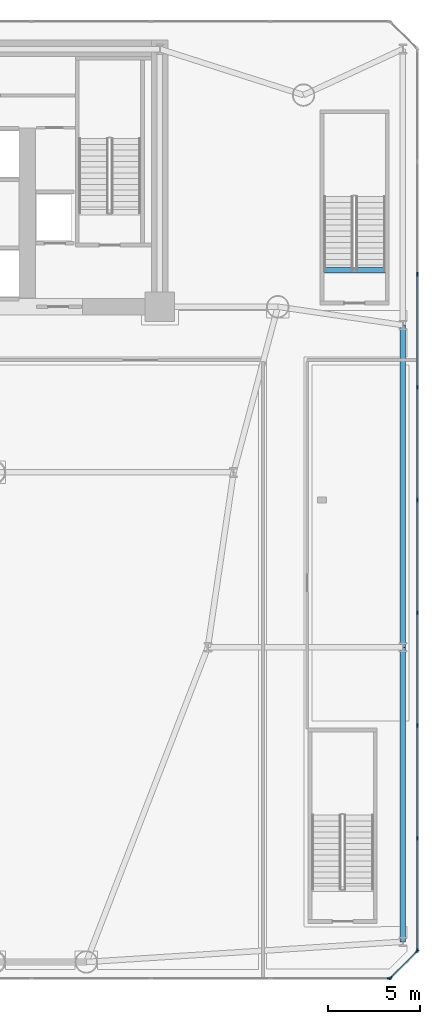
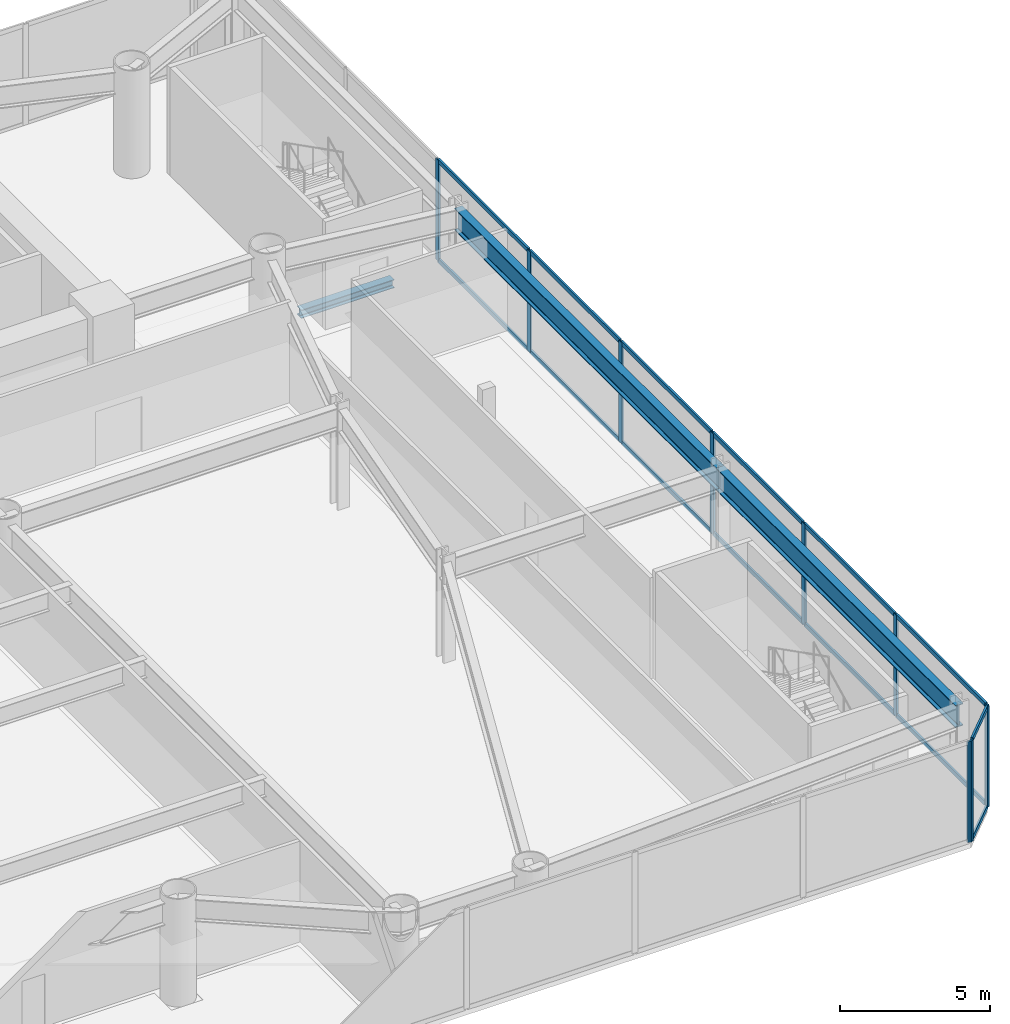
# One storey, part 10 of 24: 24 members, 3 beams, 3 elements without a shape of their own.
"""IFC4 building model written with IfcOpenShell, lengths in metres."""

import ifcopenshell
import ifcopenshell.guid

model = None  # the IFC model being written
_history = None  # IfcOwnerHistory: only IFC2X3 demands one
_inside = {}  # id of a spatial element -> (the spatial element, [elements in it])
_under = {}  # id of a project, library or spatial element -> (it, [spatial elements below it])
_declared = {}  # id of a project -> (the project, [libraries it declares])
_typed = {}  # id of a type object -> (the type object, [elements of that type])
_made_of = {}  # id of a material, layer set ... -> (it, [elements and type objects made of it])


def new_model(schema):
    """Start an empty IFC model of exactly this schema.

    Asked for "IFC4X3", IfcOpenShell would pick the latest addendum, in which some entities
    have other attributes; the version numbers below select the first issue.
    IFC2X3 requires an IfcOwnerHistory on every rooted entity: one is made here for all.
    """
    global model, _history
    if schema == "IFC4X3":
        model = ifcopenshell.file(schema_version=(4, 3, 0, 0))
    else:
        model = ifcopenshell.file(schema=schema)
    _inside.clear()
    _under.clear()
    _declared.clear()
    _typed.clear()
    _made_of.clear()
    _history = None
    if model.schema == "IFC2X3":
        org = make("IfcOrganization", Name="unknown")
        user = make(
            "IfcPersonAndOrganization",
            ThePerson=make("IfcPerson", FamilyName="unknown"),
            TheOrganization=org,
        )
        app = make(
            "IfcApplication",
            ApplicationDeveloper=org,
            Version="unknown",
            ApplicationFullName="unknown",
            ApplicationIdentifier="unknown",
        )
        _history = make(
            "IfcOwnerHistory",
            OwningUser=user,
            OwningApplication=app,
            ChangeAction="ADDED",
            CreationDate=0,
        )
    return model


def make(cls, **values):
    """One entity of the class cls with the attributes given. An attribute that is None is left unset."""
    return model.create_entity(
        cls, **{name: value for name, value in values.items() if value is not None}
    )


def rooted(cls, **values):
    """An entity with a GlobalId (a new one), such as an element, a storey or a relation."""
    return make(cls, GlobalId=ifcopenshell.guid.new(), OwnerHistory=_history, **values)


def si_unit(unit_type, name, prefix=None):
    """IfcSIUnit, for example si_unit("LENGTHUNIT", "METRE", prefix="MILLI")."""
    return make("IfcSIUnit", UnitType=unit_type, Prefix=prefix, Name=name)


def assignment(units):
    """IfcUnitAssignment: the units of a project."""
    return None if units is None else make("IfcUnitAssignment", Units=units)


def point(xyz):
    """IfcCartesianPoint."""
    return None if xyz is None else make("IfcCartesianPoint", Coordinates=xyz)


def direction(xyz):
    """IfcDirection."""
    return None if xyz is None else make("IfcDirection", DirectionRatios=xyz)


def frame(location, z_axis=None, x_axis=None):
    """IfcAxis2Placement3D, a coordinate frame: its origin and axes. An axis left out is left unset."""
    return make(
        "IfcAxis2Placement3D",
        Location=point(location),
        Axis=direction(z_axis),
        RefDirection=direction(x_axis),
    )


def frame_2d(location, x_axis=None):
    """IfcAxis2Placement2D, a coordinate frame in the plane: its origin and x axis."""
    return make(
        "IfcAxis2Placement2D", Location=point(location), RefDirection=direction(x_axis)
    )


def origin():
    """The frame at (0, 0, 0) with its axes left unset."""
    return frame((0.0, 0.0, 0.0))


def origin_2d():
    """The frame at (0, 0) in the plane with its x axis left unset."""
    return frame_2d((0.0, 0.0))


def place(relative_to, where):
    """IfcLocalPlacement: puts the frame where relative to a parent placement (None: the world)."""
    return make(
        "IfcLocalPlacement", PlacementRelTo=relative_to, RelativePlacement=where
    )


def context(
    kind, dimensions, precision=None, world=None, true_north=None, identifier=None
):
    """IfcGeometricRepresentationContext, for example the 3D "Model" context."""
    return make(
        "IfcGeometricRepresentationContext",
        ContextIdentifier=identifier,
        ContextType=kind,
        CoordinateSpaceDimension=dimensions,
        Precision=precision,
        WorldCoordinateSystem=world,
        TrueNorth=true_north,
    )


def subcontext(parent, identifier, kind, view, scale=None):
    """IfcGeometricRepresentationSubContext, for example "Body" below "Model"."""
    return make(
        "IfcGeometricRepresentationSubContext",
        ContextIdentifier=identifier,
        ContextType=kind,
        ParentContext=parent,
        TargetScale=scale,
        TargetView=view,
    )


def project(units=None, contexts=None):
    """IfcProject with its units and contexts."""
    return rooted(
        "IfcProject",
        Name="project",
        RepresentationContexts=contexts,
        UnitsInContext=assignment(units),
    )


def spatial(cls, under=None, at=None, **own):
    """A site, building, storey or space (cls), placed at a placement, below another one or the project."""
    s = rooted(cls, ObjectPlacement=at, **own)
    if under is not None:
        _under.setdefault(under.id(), (under, []))[1].append(s)
    return s


def profile(cls, at=None, kind="AREA", **sizes):
    """A parametric profile (cls). Its sizes go by their IFC names, for example OverallWidth=200.0."""
    return make(cls, ProfileType=kind, Position=at, **sizes)


def rectangle(**sizes):
    """IfcRectangleProfileDef."""
    return profile("IfcRectangleProfileDef", **sizes)


def i_section(**sizes):
    """IfcIShapeProfileDef."""
    return profile("IfcIShapeProfileDef", **sizes)


def extrude(swept, where, along, depth):
    """IfcExtrudedAreaSolid: the profile swept, set in the frame where, extruded along a direction by depth."""
    return make(
        "IfcExtrudedAreaSolid",
        SweptArea=swept,
        Position=where,
        ExtrudedDirection=direction(along),
        Depth=depth,
    )


def shape(context_of_items, identifier, shape_type, items):
    """IfcShapeRepresentation: the items that make up one representation, for example the "Body"."""
    return make(
        "IfcShapeRepresentation",
        ContextOfItems=context_of_items,
        RepresentationIdentifier=identifier,
        RepresentationType=shape_type,
        Items=items,
    )


def source(mapping_origin, context_of_items, identifier, shape_type, items):
    """IfcRepresentationMap: a shape defined once, which mapped items show again and again."""
    return make(
        "IfcRepresentationMap",
        MappingOrigin=mapping_origin,
        MappedRepresentation=shape(context_of_items, identifier, shape_type, items),
    )


def transform(
    local_origin,
    x_axis=None,
    y_axis=None,
    z_axis=None,
    scale=None,
    scale2=None,
    scale3=None,
    uniform=True,
):
    """IfcCartesianTransformationOperator3D, or its non-uniform kind. x_axis, y_axis, z_axis: its Axis1, 2, 3."""
    if uniform:
        return make(
            "IfcCartesianTransformationOperator3D",
            Axis1=direction(x_axis),
            Axis2=direction(y_axis),
            LocalOrigin=point(local_origin),
            Scale=scale,
            Axis3=direction(z_axis),
        )
    return make(
        "IfcCartesianTransformationOperator3DnonUniform",
        Axis1=direction(x_axis),
        Axis2=direction(y_axis),
        LocalOrigin=point(local_origin),
        Scale=scale,
        Axis3=direction(z_axis),
        Scale2=scale2,
        Scale3=scale3,
    )


def mapped(mapping_source, mapping_target):
    """IfcMappedItem: shows the shape of a source again, moved by a transform."""
    return make(
        "IfcMappedItem", MappingSource=mapping_source, MappingTarget=mapping_target
    )


def material(Name=None, Category=None):
    """IfcMaterial."""
    return make("IfcMaterial", Name=Name, Category=Category)


def layer(
    of_material, thickness, ventilated=None, Name=None, Category=None, Priority=None
):
    """IfcMaterialLayer: one layer of a wall or slab, of a material (None: an air gap)."""
    return make(
        "IfcMaterialLayer",
        Material=of_material,
        LayerThickness=thickness,
        IsVentilated=ventilated,
        Name=Name,
        Category=Category,
        Priority=Priority,
    )


def layer_set(layers, Name=None):
    """IfcMaterialLayerSet."""
    return make("IfcMaterialLayerSet", MaterialLayers=layers, LayerSetName=Name)


def material_profile(
    of_material, cross_section, Name=None, Category=None, Priority=None
):
    """IfcMaterialProfile: a cross section and its material."""
    return make(
        "IfcMaterialProfile",
        Name=Name,
        Material=of_material,
        Profile=cross_section,
        Priority=Priority,
        Category=Category,
    )


def profile_set(profiles, Name=None, composite=None):
    """IfcMaterialProfileSet."""
    return make(
        "IfcMaterialProfileSet",
        Name=Name,
        MaterialProfiles=profiles,
        CompositeProfile=composite,
    )


def made_of(thing, what):
    """Note that an element or type object is made of a material, layer set ...; save() writes the relation."""
    if what is not None:
        _made_of.setdefault(what.id(), (what, []))[1].append(thing)
    return thing


def type_object(cls, material=None, **own):
    """A type object (cls), such as IfcWallType, which elements share."""
    return made_of(rooted(cls, **own), material)


def element(
    cls,
    number,
    at=None,
    inside=None,
    cuts=None,
    type_object=None,
    material=None,
    context=None,
    identifier="Body",
    shape_type=None,
    held_by="IfcProductDefinitionShape",
    body=None,
    shapes=None,
    **own,
):
    """One element of the class cls, such as IfcWall. Its Tag is "e" and its number.

    at: its placement. inside: the storey or other place that contains it. cuts: it is an
    opening in that element (IfcRelVoidsElement). A single representation is given by context,
    identifier, shape_type and body (its items); several are given by shapes. held_by: the class
    of the entity that holds the representations. save() writes the other relations.
    """
    e = rooted(cls, Tag="e%d" % number, ObjectPlacement=at, **own)
    if body is not None:
        shapes = [shape(context, identifier, shape_type, body)]
    if shapes is not None:
        e.Representation = make(held_by, Representations=shapes)
    if inside is not None:
        _inside.setdefault(inside.id(), (inside, []))[1].append(e)
    if cuts is not None:
        rooted(
            "IfcRelVoidsElement", RelatingBuildingElement=cuts, RelatedOpeningElement=e
        )
    if type_object is not None:
        _typed.setdefault(type_object.id(), (type_object, []))[1].append(e)
    return made_of(e, material)


def aggregate(whole, parts):
    """IfcRelAggregates: a whole, such as a stair, and the parts it consists of."""
    return rooted("IfcRelAggregates", RelatingObject=whole, RelatedObjects=parts)


def save(model, path):
    """Write the relations noted so far, then the file.

    IfcRelAggregates (storeys below a building ...), IfcRelContainedInSpatialStructure (elements
    in a storey), IfcRelDefinesByType, IfcRelAssociatesMaterial and IfcRelDeclares: one each for
    every whole, place, type object, material and project.
    """
    for whole, parts in _under.values():
        aggregate(whole, parts)
    for where, things in _inside.values():
        rooted(
            "IfcRelContainedInSpatialStructure",
            RelatedElements=things,
            RelatingStructure=where,
        )
    for kind, things in _typed.values():
        rooted("IfcRelDefinesByType", RelatedObjects=things, RelatingType=kind)
    for what, things in _made_of.values():
        rooted("IfcRelAssociatesMaterial", RelatedObjects=things, RelatingMaterial=what)
    for by, libraries in _declared.values():
        rooted("IfcRelDeclares", RelatingContext=by, RelatedDefinitions=libraries)
    model.write(path)


model = new_model("IFC4")

# Units and contexts
model_context = context("Model", 3, precision=1e-05, world=origin(), true_north=direction((0.0, 1.0)))
body_context = subcontext(model_context, "Body", "Model", "MODEL_VIEW")
ifc_project = project(units=[si_unit("LENGTHUNIT", "METRE"), si_unit("AREAUNIT", "SQUARE_METRE"), si_unit("VOLUMEUNIT", "CUBIC_METRE"), si_unit("PLANEANGLEUNIT", "RADIAN"), si_unit("MASSUNIT", "GRAM", prefix="KILO")], contexts=[model_context])

# Site, building, storey
site_placement = place(None, origin())
site = spatial("IfcSite", under=ifc_project, at=site_placement, CompositionType="ELEMENT")
building_placement = place(site_placement, origin())
building = spatial("IfcBuilding", under=site, at=building_placement, Name="Vaeldorn Concourse Tower", CompositionType="ELEMENT")
storey_placement = place(building_placement, frame((0.0, 0.0, 10.0)))
storey = spatial("IfcBuildingStorey", under=building, at=storey_placement, Name="L02", CompositionType="ELEMENT", Elevation=10.0)

# Beams
ifc_material_1 = material(Name="Steel S355", Category="steel")
ifc_material_profile_1 = material_profile(ifc_material_1, i_section(OverallWidth=0.300048828125, OverallDepth=0.340087890625, WebThickness=0.011962890625, FlangeThickness=0.021484375, FilletRadius=0.027099609375, at=origin_2d()), Name="HEB 340")
ifc_profile_set_1 = profile_set([ifc_material_profile_1], Name="Steel S355")
beam_type_1 = type_object("IfcBeamType", Name="BM-ST-TRIM", PredefinedType="BEAM", material=ifc_profile_set_1)
shared_shape_1 = source(origin(), body_context, "Body", "SweptSolid", [
    extrude(i_section(OverallWidth=0.300048828125, OverallDepth=0.340087890625, WebThickness=0.011962890625, FlangeThickness=0.021484375, FilletRadius=0.027099609375, at=origin_2d()), origin(), (0.0, 0.0, 1.0), 3.590087890625),
])
beam_1_placement = place(storey_placement, frame((62.780029296875, 38.489990234375, -0.449951171875), z_axis=(1.0, 0.0, 0.0), x_axis=(0.0, 1.0, 0.0)))
element("IfcBeam", 1, at=beam_1_placement, inside=storey, type_object=beam_type_1, Name="Stair Landing Trimmer Beam ST-4 L02", PredefinedType="BEAM", context=body_context, shape_type="MappedRepresentation", body=[
    mapped(shared_shape_1, transform((0.0, 0.0, 0.0), scale=1.0)),
])
ifc_material_profile_2 = material_profile(ifc_material_1, i_section(OverallWidth=0.302001953125, OverallDepth=0.909912109375, WebThickness=0.02099609375, FlangeThickness=0.0400390625, FilletRadius=0.030029296875, at=origin_2d()), Name="HEM 900")
ifc_profile_set_2 = profile_set([ifc_material_profile_2], Name="Steel S355")
beam_type_2 = type_object("IfcBeamType", Name="BM-PG-HEM900", PredefinedType="BEAM", material=ifc_profile_set_2)
shared_shape_2 = source(origin(), body_context, "Body", "SweptSolid", [
    extrude(i_section(OverallWidth=0.302001953125, OverallDepth=0.909912109375, WebThickness=0.02099609375, FlangeThickness=0.0400390625, FilletRadius=0.030029296875, at=origin_2d()), origin(), (0.0, 0.0, 1.0), 16.0),
])
beam_2_placement = place(storey_placement, frame((67.199951171875, 2.0, 3.6650390625), z_axis=(0.0, 1.0, 0.0), x_axis=(-1.0, 0.0, 0.0)))
element("IfcBeam", 2, at=beam_2_placement, inside=storey, type_object=beam_type_2, Name="Beam BM-L02-C-PE1-C-PE2", PredefinedType="BEAM", context=body_context, shape_type="MappedRepresentation", body=[
    mapped(shared_shape_2, transform((0.0, 0.0, 0.0), scale=1.0)),
])
shared_shape_3 = source(origin(), body_context, "Body", "SweptSolid", [
    extrude(i_section(OverallWidth=0.302001953125, OverallDepth=0.909912109375, WebThickness=0.02099609375, FlangeThickness=0.0400390625, FilletRadius=0.030029296875, at=origin_2d()), origin(), (0.0, 0.0, 1.0), 17.5),
])
beam_3_placement = place(storey_placement, frame((67.199951171875, 18.0, 3.6650390625), z_axis=(0.0, 1.0, 0.0), x_axis=(-1.0, 0.0, 0.0)))
element("IfcBeam", 3, at=beam_3_placement, inside=storey, type_object=beam_type_2, Name="Beam BM-L02-C-PE2-C-PE3", PredefinedType="BEAM", context=body_context, shape_type="MappedRepresentation", body=[
    mapped(shared_shape_3, transform((0.0, 0.0, 0.0), scale=1.0)),
])

# Curtain wall, members
ifc_material_2 = material(Name="Anodised Bronze Aluminium", Category="aluminium")
ifc_layer = layer(ifc_material_2, 0.239990234375)
ifc_layer_set = layer_set([ifc_layer], Name="Anodised Bronze Aluminium")
curtain_wall_type = type_object("IfcCurtainWallType", Name="CW-SYS-04", PredefinedType="NOTDEFINED", material=ifc_layer_set)
curtain_wall_1_placement = place(storey_placement, origin())
curtain_wall_1 = element("IfcCurtainWall", 4, at=curtain_wall_1_placement, inside=storey, type_object=curtain_wall_type, Name="Unitised Curtain Wall CW-L02-E02-1", PredefinedType="NOTDEFINED")
ifc_material_profile_3 = material_profile(ifc_material_2, rectangle(XDim=0.074951171875, YDim=0.179931640625, at=origin_2d()), Name="CWT 75x180")
ifc_profile_set_3 = profile_set([ifc_material_profile_3], Name="Anodised Bronze Aluminium")
member_type_1 = type_object("IfcMemberType", Name="CWT-BRONZE-180", PredefinedType="USERDEFINED", material=ifc_profile_set_3)
shared_shape_4 = source(origin(), body_context, "Body", "SweptSolid", [
    extrude(rectangle(XDim=0.074951171875, YDim=0.179931640625, at=origin_2d()), origin(), (0.0, 0.0, 1.0), 1.971435546875),
])
member_1_placement = place(storey_placement, frame((66.552978515625, 0.052978515625, 0.03759765625), z_axis=(0.707106781187, 0.707106781187, 0.0), x_axis=(-0.707106781187, 0.707106781187, 0.0)))
member_1 = element("IfcMember", 5, at=member_1_placement, type_object=member_type_1, Name="CW-04 transom 1.1", ObjectType="TRANSOM", PredefinedType="USERDEFINED", context=body_context, shape_type="MappedRepresentation", body=[
    mapped(shared_shape_4, transform((0.0, 0.0, 0.0), scale=1.0)),
])
member_2_placement = place(storey_placement, frame((66.552978515625, 0.052978515625, 4.08251953125), z_axis=(0.707106781187, 0.707106781187, 0.0), x_axis=(-0.707106781187, 0.707106781187, 0.0)))
member_2 = element("IfcMember", 6, at=member_2_placement, type_object=member_type_1, Name="CW-04 transom 1.2", ObjectType="TRANSOM", PredefinedType="USERDEFINED", context=body_context, shape_type="MappedRepresentation", body=[
    mapped(shared_shape_4, transform((0.0, 0.0, 0.0), scale=1.0)),
])

curtain_wall_2_placement = place(storey_placement, origin())
curtain_wall_2 = element("IfcCurtainWall", 7, at=curtain_wall_2_placement, inside=storey, type_object=curtain_wall_type, Name="Unitised Curtain Wall CW-L02-E03-1", PredefinedType="NOTDEFINED")
shared_shape_5 = source(origin(), body_context, "Body", "SweptSolid", [
    extrude(rectangle(XDim=0.074951171875, YDim=0.179931640625, at=origin_2d()), origin(), (0.0, 0.0, 1.0), 6.012451171875),
])
member_3_placement = place(storey_placement, frame((68.0, 1.574951171875, 0.03759765625), z_axis=(0.0, 1.0, 0.0), x_axis=(-1.0, 0.0, 0.0)))
member_3 = element("IfcMember", 8, at=member_3_placement, type_object=member_type_1, Name="CW-04 transom 1.1", ObjectType="TRANSOM", PredefinedType="USERDEFINED", context=body_context, shape_type="MappedRepresentation", body=[
    mapped(shared_shape_5, transform((0.0, 0.0, 0.0), scale=1.0)),
])
member_4_placement = place(storey_placement, frame((68.0, 1.574951171875, 4.08251953125), z_axis=(0.0, 1.0, 0.0), x_axis=(-1.0, 0.0, 0.0)))
member_4 = element("IfcMember", 9, at=member_4_placement, type_object=member_type_1, Name="CW-04 transom 1.2", ObjectType="TRANSOM", PredefinedType="USERDEFINED", context=body_context, shape_type="MappedRepresentation", body=[
    mapped(shared_shape_5, transform((0.0, 0.0, 0.0), scale=1.0)),
])
shared_shape_6 = source(origin(), body_context, "Body", "SweptSolid", [
    extrude(rectangle(XDim=0.074951171875, YDim=0.179931640625, at=origin_2d()), origin(), (0.0, 0.0, 1.0), 6.0498046875),
])
member_5_placement = place(storey_placement, frame((68.0, 7.66259765625, 0.03759765625), z_axis=(0.0, 1.0, 0.0), x_axis=(-1.0, 0.0, 0.0)))
member_5 = element("IfcMember", 10, at=member_5_placement, type_object=member_type_1, Name="CW-04 transom 2.1", ObjectType="TRANSOM", PredefinedType="USERDEFINED", context=body_context, shape_type="MappedRepresentation", body=[
    mapped(shared_shape_6, transform((0.0, 0.0, 0.0), scale=1.0)),
])
member_6_placement = place(storey_placement, frame((68.0, 7.66259765625, 4.08251953125), z_axis=(0.0, 1.0, 0.0), x_axis=(-1.0, 0.0, 0.0)))
member_6 = element("IfcMember", 11, at=member_6_placement, type_object=member_type_1, Name="CW-04 transom 2.2", ObjectType="TRANSOM", PredefinedType="USERDEFINED", context=body_context, shape_type="MappedRepresentation", body=[
    mapped(shared_shape_6, transform((0.0, 0.0, 0.0), scale=1.0)),
])
member_7_placement = place(storey_placement, frame((68.0, 13.78759765625, 0.03759765625), z_axis=(0.0, 1.0, 0.0), x_axis=(-1.0, 0.0, 0.0)))
member_7 = element("IfcMember", 12, at=member_7_placement, type_object=member_type_1, Name="CW-04 transom 3.1", ObjectType="TRANSOM", PredefinedType="USERDEFINED", context=body_context, shape_type="MappedRepresentation", body=[
    mapped(shared_shape_6, transform((0.0, 0.0, 0.0), scale=1.0)),
])
member_8_placement = place(storey_placement, frame((68.0, 13.78759765625, 4.08251953125), z_axis=(0.0, 1.0, 0.0), x_axis=(-1.0, 0.0, 0.0)))
member_8 = element("IfcMember", 13, at=member_8_placement, type_object=member_type_1, Name="CW-04 transom 3.2", ObjectType="TRANSOM", PredefinedType="USERDEFINED", context=body_context, shape_type="MappedRepresentation", body=[
    mapped(shared_shape_6, transform((0.0, 0.0, 0.0), scale=1.0)),
])
member_9_placement = place(storey_placement, frame((68.0, 19.91259765625, 0.03759765625), z_axis=(0.0, 1.0, 0.0), x_axis=(-1.0, 0.0, 0.0)))
member_9 = element("IfcMember", 14, at=member_9_placement, type_object=member_type_1, Name="CW-04 transom 4.1", ObjectType="TRANSOM", PredefinedType="USERDEFINED", context=body_context, shape_type="MappedRepresentation", body=[
    mapped(shared_shape_6, transform((0.0, 0.0, 0.0), scale=1.0)),
])
member_10_placement = place(storey_placement, frame((68.0, 19.91259765625, 4.08251953125), z_axis=(0.0, 1.0, 0.0), x_axis=(-1.0, 0.0, 0.0)))
member_10 = element("IfcMember", 15, at=member_10_placement, type_object=member_type_1, Name="CW-04 transom 4.2", ObjectType="TRANSOM", PredefinedType="USERDEFINED", context=body_context, shape_type="MappedRepresentation", body=[
    mapped(shared_shape_6, transform((0.0, 0.0, 0.0), scale=1.0)),
])
member_11_placement = place(storey_placement, frame((68.0, 26.03759765625, 0.03759765625), z_axis=(0.0, 1.0, 0.0), x_axis=(-1.0, 0.0, 0.0)))
member_11 = element("IfcMember", 16, at=member_11_placement, type_object=member_type_1, Name="CW-04 transom 5.1", ObjectType="TRANSOM", PredefinedType="USERDEFINED", context=body_context, shape_type="MappedRepresentation", body=[
    mapped(shared_shape_6, transform((0.0, 0.0, 0.0), scale=1.0)),
])
member_12_placement = place(storey_placement, frame((68.0, 26.03759765625, 4.08251953125), z_axis=(0.0, 1.0, 0.0), x_axis=(-1.0, 0.0, 0.0)))
member_12 = element("IfcMember", 17, at=member_12_placement, type_object=member_type_1, Name="CW-04 transom 5.2", ObjectType="TRANSOM", PredefinedType="USERDEFINED", context=body_context, shape_type="MappedRepresentation", body=[
    mapped(shared_shape_6, transform((0.0, 0.0, 0.0), scale=1.0)),
])
member_13_placement = place(storey_placement, frame((68.0, 32.16259765625, 0.03759765625), z_axis=(0.0, 1.0, 0.0), x_axis=(-1.0, 0.0, 0.0)))
member_13 = element("IfcMember", 18, at=member_13_placement, type_object=member_type_1, Name="CW-04 transom 6.1", ObjectType="TRANSOM", PredefinedType="USERDEFINED", context=body_context, shape_type="MappedRepresentation", body=[
    mapped(shared_shape_6, transform((0.0, 0.0, 0.0), scale=1.0)),
])
member_14_placement = place(storey_placement, frame((68.0, 32.16259765625, 4.08251953125), z_axis=(0.0, 1.0, 0.0), x_axis=(-1.0, 0.0, 0.0)))
member_14 = element("IfcMember", 19, at=member_14_placement, type_object=member_type_1, Name="CW-04 transom 6.2", ObjectType="TRANSOM", PredefinedType="USERDEFINED", context=body_context, shape_type="MappedRepresentation", body=[
    mapped(shared_shape_6, transform((0.0, 0.0, 0.0), scale=1.0)),
])

# Curtain wall, member
curtain_wall_3_placement = place(storey_placement, origin())
curtain_wall_3 = element("IfcCurtainWall", 20, at=curtain_wall_3_placement, inside=storey, type_object=curtain_wall_type, Name="Unitised Curtain Wall CW-L02-E01-1", PredefinedType="NOTDEFINED")
ifc_material_profile_4 = material_profile(ifc_material_2, rectangle(XDim=0.074951171875, YDim=0.219970703125, at=origin_2d()), Name="CWM 75x220")
ifc_profile_set_4 = profile_set([ifc_material_profile_4], Name="Anodised Bronze Aluminium")
member_type_2 = type_object("IfcMemberType", Name="CWM-BRONZE-220", PredefinedType="MULLION", material=ifc_profile_set_4)
shared_shape_7 = source(origin(), body_context, "Body", "SweptSolid", [
    extrude(rectangle(XDim=0.074951171875, YDim=0.219970703125, at=origin_2d()), origin(), (0.0, 0.0, 1.0), 4.1201171875),
])
member_15_placement = place(storey_placement, frame((66.46240234375, 0.0, 0.0), z_axis=(0.0, 0.0, 1.0), x_axis=(0.0, 1.0, 0.0)))
member_15 = element("IfcMember", 21, at=member_15_placement, type_object=member_type_2, Name="CW-04 mullion 11", PredefinedType="MULLION", context=body_context, shape_type="MappedRepresentation", body=[
    mapped(shared_shape_7, transform((0.0, 0.0, 0.0), scale=1.0)),
])
aggregate(curtain_wall_3, [member_15])

# Member
member_16_placement = place(storey_placement, frame((66.526611328125, 0.026611328125, 0.0), z_axis=(0.0, 0.0, 1.0), x_axis=(-0.707106781187, 0.707106781187, 0.0)))
member_16 = element("IfcMember", 22, at=member_16_placement, type_object=member_type_2, Name="CW-04 mullion 1", PredefinedType="MULLION", context=body_context, shape_type="MappedRepresentation", body=[
    mapped(shared_shape_7, transform((0.0, 0.0, 0.0), scale=1.0)),
])

member_17_placement = place(storey_placement, frame((67.973388671875, 1.473388671875, 0.0), z_axis=(0.0, 0.0, 1.0), x_axis=(-0.707106781187, 0.707106781187, 0.0)))
member_17 = element("IfcMember", 23, at=member_17_placement, type_object=member_type_2, Name="CW-04 mullion 2", PredefinedType="MULLION", context=body_context, shape_type="MappedRepresentation", body=[
    mapped(shared_shape_7, transform((0.0, 0.0, 0.0), scale=1.0)),
])

aggregate(curtain_wall_1, [member_16, member_17, member_1, member_2])

member_18_placement = place(storey_placement, frame((68.0, 1.53759765625, 0.0), z_axis=(0.0, 0.0, 1.0), x_axis=(-1.0, 0.0, 0.0)))
member_18 = element("IfcMember", 24, at=member_18_placement, type_object=member_type_2, Name="CW-04 mullion 1", PredefinedType="MULLION", context=body_context, shape_type="MappedRepresentation", body=[
    mapped(shared_shape_7, transform((0.0, 0.0, 0.0), scale=1.0)),
])

member_19_placement = place(storey_placement, frame((68.0, 7.625, 0.0), z_axis=(0.0, 0.0, 1.0), x_axis=(-1.0, 0.0, 0.0)))
member_19 = element("IfcMember", 25, at=member_19_placement, type_object=member_type_2, Name="CW-04 mullion 2", PredefinedType="MULLION", context=body_context, shape_type="MappedRepresentation", body=[
    mapped(shared_shape_7, transform((0.0, 0.0, 0.0), scale=1.0)),
])

member_20_placement = place(storey_placement, frame((68.0, 13.75, 0.0), z_axis=(0.0, 0.0, 1.0), x_axis=(-1.0, 0.0, 0.0)))
member_20 = element("IfcMember", 26, at=member_20_placement, type_object=member_type_2, Name="CW-04 mullion 3", PredefinedType="MULLION", context=body_context, shape_type="MappedRepresentation", body=[
    mapped(shared_shape_7, transform((0.0, 0.0, 0.0), scale=1.0)),
])

member_21_placement = place(storey_placement, frame((68.0, 19.875, 0.0), z_axis=(0.0, 0.0, 1.0), x_axis=(-1.0, 0.0, 0.0)))
member_21 = element("IfcMember", 27, at=member_21_placement, type_object=member_type_2, Name="CW-04 mullion 4", PredefinedType="MULLION", context=body_context, shape_type="MappedRepresentation", body=[
    mapped(shared_shape_7, transform((0.0, 0.0, 0.0), scale=1.0)),
])

member_22_placement = place(storey_placement, frame((68.0, 26.0, 0.0), z_axis=(0.0, 0.0, 1.0), x_axis=(-1.0, 0.0, 0.0)))
member_22 = element("IfcMember", 28, at=member_22_placement, type_object=member_type_2, Name="CW-04 mullion 5", PredefinedType="MULLION", context=body_context, shape_type="MappedRepresentation", body=[
    mapped(shared_shape_7, transform((0.0, 0.0, 0.0), scale=1.0)),
])

member_23_placement = place(storey_placement, frame((68.0, 32.125, 0.0), z_axis=(0.0, 0.0, 1.0), x_axis=(-1.0, 0.0, 0.0)))
member_23 = element("IfcMember", 29, at=member_23_placement, type_object=member_type_2, Name="CW-04 mullion 6", PredefinedType="MULLION", context=body_context, shape_type="MappedRepresentation", body=[
    mapped(shared_shape_7, transform((0.0, 0.0, 0.0), scale=1.0)),
])

member_24_placement = place(storey_placement, frame((68.0, 38.25, 0.0), z_axis=(0.0, 0.0, 1.0), x_axis=(-1.0, 0.0, 0.0)))
member_24 = element("IfcMember", 30, at=member_24_placement, type_object=member_type_2, Name="CW-04 mullion 7", PredefinedType="MULLION", context=body_context, shape_type="MappedRepresentation", body=[
    mapped(shared_shape_7, transform((0.0, 0.0, 0.0), scale=1.0)),
])

aggregate(curtain_wall_2, [member_18, member_19, member_20, member_21, member_22, member_23, member_24, member_3, member_4, member_5, member_6, member_7, member_8, member_9, member_10, member_11, member_12, member_13, member_14])

save(model, "model.ifc")
